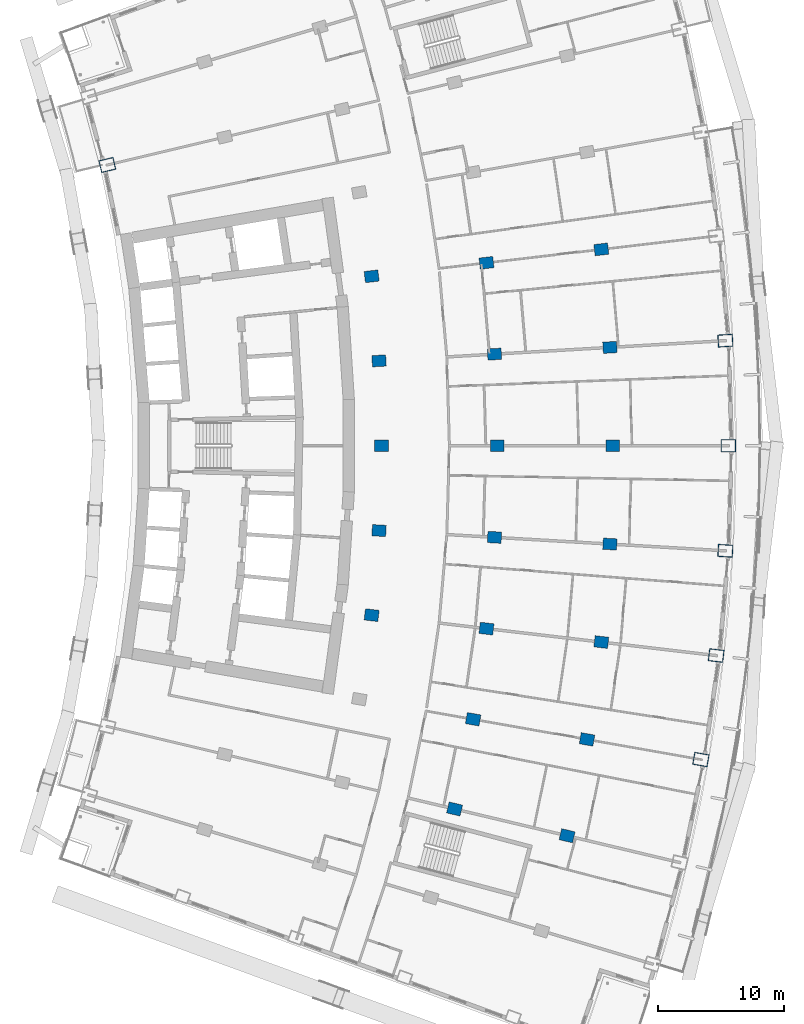
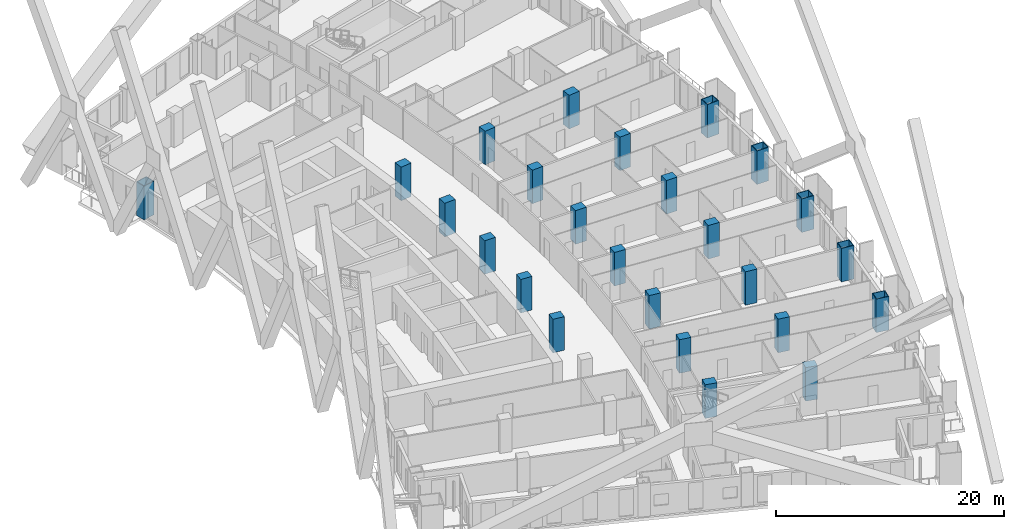
# One storey, part 6 of 25: 25 columns.
"""IFC4 building model written with IfcOpenShell, lengths in metres."""

from ifc_helpers import new_model, si_unit, direction, frame, origin, origin_2d, place, context, subcontext, project, spatial, rectangle, hollow_rectangle, extrude, material, material_profile, profile_set, type_object, element, save


model = new_model("IFC4")

# Units and contexts
model_context = context("Model", 3, precision=1e-05, world=origin(), true_north=direction((0.0, 1.0)))
body_context = subcontext(model_context, "Body", "Model", "MODEL_VIEW")
ifc_project = project(units=[si_unit("LENGTHUNIT", "METRE"), si_unit("AREAUNIT", "SQUARE_METRE"), si_unit("VOLUMEUNIT", "CUBIC_METRE"), si_unit("PLANEANGLEUNIT", "RADIAN"), si_unit("MASSUNIT", "GRAM", prefix="KILO")], contexts=[model_context])

# Site, building, storey
site_placement = place(None, origin())
site = spatial("IfcSite", under=ifc_project, at=site_placement, CompositionType="ELEMENT")
building_placement = place(site_placement, origin())
building = spatial("IfcBuilding", under=site, at=building_placement, Name="Alderwake Tower", CompositionType="ELEMENT")
storey_placement = place(building_placement, frame((0.0, 0.0, 32.0)))
storey = spatial("IfcBuildingStorey", under=building, at=storey_placement, Name="L06", CompositionType="ELEMENT", Elevation=32.0)

# Columns
ifc_material_1 = material(Name="Concrete C70/85", Category="concrete")
ifc_material_profile_1 = material_profile(ifc_material_1, rectangle(XDim=0.89990234375, YDim=1.10009765625, at=origin_2d()), Name="RC 1100X900")
ifc_profile_set_1 = profile_set([ifc_material_profile_1], Name="Concrete C70/85")
column_type_1 = type_object("IfcColumnType", Name="Interior column Z1", PredefinedType="COLUMN", material=ifc_profile_set_1)
for number, where, z_axis, x_axis, name in (
    (1, (41.612548828125, 32.097412109375, 0.0), (0.0, 0.0, 1.0), (0.231221547198, 0.972901123502, 0.0), "Column R03-C3"),
    (2, (50.563232421875, 29.969970703125, 0.0), (0.0, 0.0, 1.0), (0.231221547198, 0.972901123502, 0.0), "Column R03-C4"),
    (3, (43.0908203125, 39.236572265625, 0.0), (0.0, 0.0, 1.0), (0.174108800747, 0.984726421654, 0.0), "Column R04-C3"),
    (4, (52.150390625, 37.634765625, 0.0), (0.0, 0.0, 1.0), (0.174108800747, 0.984726421654, 0.0), "Column R04-C4"),
    (5, (35.0126953125, 47.5205078125, 0.0), (0.0, 0.0, 1.0), (0.116402054316, 0.993202175668, 0.0), "Column R05-C2"),
    (6, (44.150390625, 46.44970703125, 0.0), (0.0, 0.0, 1.0), (0.116402054316, 0.993202175668, 0.0), "Column R05-C3"),
    (7, (53.28759765625, 45.37890625, 0.0), (0.0, 0.0, 1.0), (0.116402054316, 0.993202175668, 0.0), "Column R05-C4"),
    (8, (35.60302734375, 54.248779296875, 0.0), (0.0, 0.0, 1.0), (0.058301061284, 0.998299046505, 0.0), "Column R06-C2"),
    (9, (44.787353515625, 53.71240234375, 0.0), (0.0, 0.0, 1.0), (0.058299318924, 0.998299148258, 0.0), "Column R06-C3"),
    (10, (53.9716796875, 53.176025390625, 0.0), (0.0, 0.0, 1.0), (0.058301061284, 0.998299046505, 0.0), "Column R06-C4"),
    (11, (35.800048828125, 61.0, 0.0), (0.0, 0.0, 1.0), (0.0, 1.0, 0.0), "Column R07-C2"),
    (12, (45.0, 61.0, 0.0), (0.0, 0.0, 1.0), (0.0, 1.0, 0.0), "Column R07-C3"),
    (13, (54.199951171875, 61.0, 0.0), (0.0, 0.0, 1.0), (0.0, 1.0, 0.0), "Column R07-C4"),
    (14, (35.60302734375, 67.751220703125, 0.0), (0.0, 0.0, 1.0), (-0.058301061284, 0.998299046505, 0.0), "Column R08-C2"),
    (15, (44.787353515625, 68.28759765625, 0.0), (0.0, 0.0, 1.0), (-0.058299318924, 0.998299148258, 0.0), "Column R08-C3"),
    (16, (53.9716796875, 68.823974609375, 0.0), (0.0, 0.0, 1.0), (-0.058301061284, 0.998299046505, 0.0), "Column R08-C4"),
    (17, (35.0126953125, 74.4794921875, 0.0), (0.0, 0.0, 1.0), (-0.116402054316, 0.993202175668, 0.0), "Column R09-C2"),
    (18, (44.150390625, 75.55029296875, 0.0), (0.0, 0.0, 1.0), (-0.116402054316, 0.993202175668, 0.0), "Column R09-C3"),
    (19, (53.28759765625, 76.62109375, 0.0), (0.0, 0.0, 1.0), (-0.116402054316, 0.993202175668, 0.0), "Column R09-C4"),
):
    element("IfcColumn", number, at=place(storey_placement, frame(where, z_axis=z_axis, x_axis=x_axis)), inside=storey, type_object=column_type_1, Name=name, PredefinedType="COLUMN", context=body_context, shape_type="SweptSolid", body=[
        extrude(rectangle(XDim=0.89990234375, YDim=1.10009765625, at=origin_2d()), origin(), (0.0, 0.0, 1.0), 3.60009765625),
    ])
ifc_material_2 = material(Name="Steel ASTM A572 Grade 50 concrete filled C70/85", Category="concrete")
ifc_material_profile_2 = material_profile(ifc_material_2, hollow_rectangle(XDim=1.0, YDim=1.199951171875, WallThickness=0.06005859375, at=origin_2d()), Name="BOX 1200X1000X60")
ifc_profile_set_2 = profile_set([ifc_material_profile_2], Name="Steel ASTM A572 Grade 50 concrete filled C70/85")
column_type_2 = type_object("IfcColumnType", Name="Perimeter column Z1", PredefinedType="COLUMN", material=ifc_profile_set_2)
for number, where, z_axis, x_axis, name in (
    (20, (61.209716796875, 36.032958984375, 0.0), (0.0, 0.0, 1.0), (0.174108800747, 0.984726421654, 0.0), "Column R04-C5"),
    (21, (62.42529296875, 44.307861328125, 0.0), (0.0, 0.0, 1.0), (0.116402054316, 0.993202175668, 0.0), "Column R05-C5"),
    (22, (63.156005859375, 52.6396484375, 0.0), (0.0, 0.0, 1.0), (0.058301061284, 0.998299046505, 0.0), "Column R06-C5"),
    (23, (63.39990234375, 61.0, 0.0), (0.0, 0.0, 1.0), (0.0, 1.0, 0.0), "Column R07-C5"),
    (24, (63.156005859375, 69.3603515625, 0.0), (0.0, 0.0, 1.0), (-0.058301061284, 0.998299046505, 0.0), "Column R08-C5"),
    (25, (13.982177734375, 83.3359375, 0.0), (0.0, 0.0, 1.0), (-0.231221547198, 0.972901123502, 0.0), "Column R11-C0"),
):
    element("IfcColumn", number, at=place(storey_placement, frame(where, z_axis=z_axis, x_axis=x_axis)), inside=storey, type_object=column_type_2, Name=name, PredefinedType="COLUMN", context=body_context, shape_type="SweptSolid", body=[
        extrude(hollow_rectangle(XDim=1.0, YDim=1.199951171875, WallThickness=0.06005859375, at=origin_2d()), origin(), (0.0, 0.0, 1.0), 3.60009765625),
    ])

save(model, "model.ifc")
